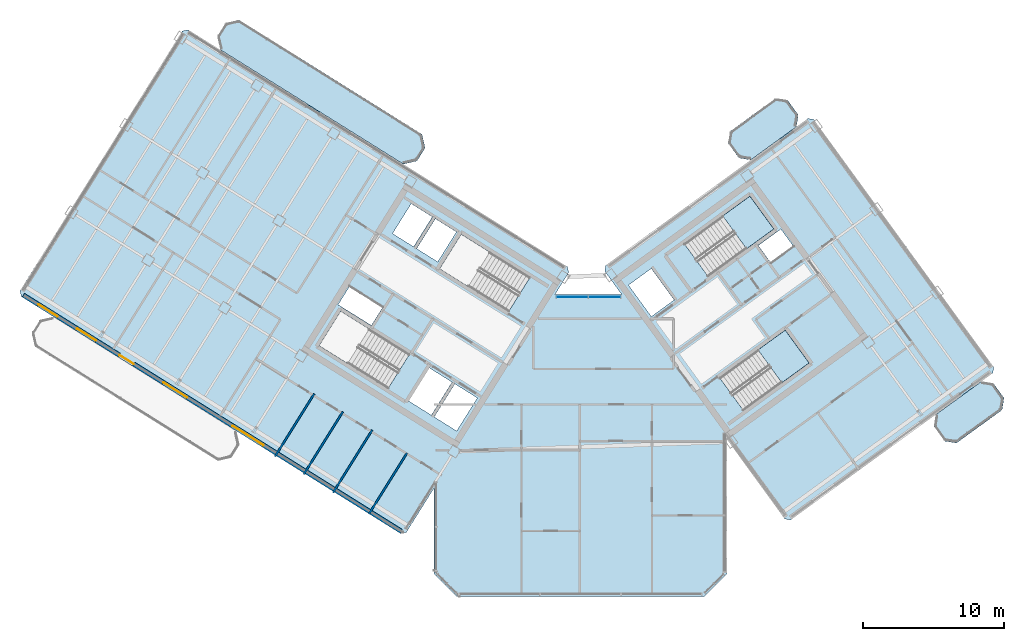
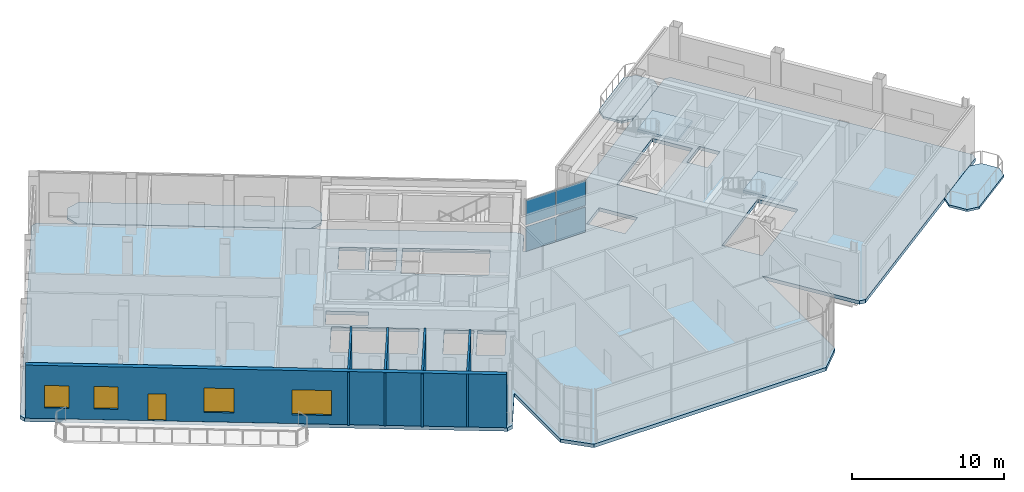
# One storey, part 15 of 27: 6 slabs, 5 walls, 4 plates, 4 windows, 1 door, 5 openings, 3 elements without a shape of their own.
"""IFC4 building model written with IfcOpenShell, lengths in metres."""

from ifc_helpers import new_model, si_unit, direction, frame, frame_2d, origin, origin_2d, place, context, subcontext, project, spatial, polyline, rectangle, outline, extrude, source, transform, mapped, material, layer, layer_set, type_object, element, fill, aggregate, save


model = new_model("IFC4")

# Units and contexts
model_context = context("Model", 3, precision=1e-05, world=origin(), true_north=direction((0.0, 1.0)))
body_context = subcontext(model_context, "Body", "Model", "MODEL_VIEW")
ifc_project = project(units=[si_unit("LENGTHUNIT", "METRE"), si_unit("AREAUNIT", "SQUARE_METRE"), si_unit("VOLUMEUNIT", "CUBIC_METRE"), si_unit("PLANEANGLEUNIT", "RADIAN"), si_unit("MASSUNIT", "GRAM", prefix="KILO")], contexts=[model_context])

# Site, building, storey
site_placement = place(None, origin())
site = spatial("IfcSite", under=ifc_project, at=site_placement, CompositionType="ELEMENT")
building_placement = place(site_placement, origin())
building = spatial("IfcBuilding", under=site, at=building_placement, Name="Tlacorven Tower", CompositionType="ELEMENT")
storey_placement = place(building_placement, frame((0.0, 0.0, 254.699951171875)))
storey = spatial("IfcBuildingStorey", under=building, at=storey_placement, Name="L64", CompositionType="ELEMENT", Elevation=254.699951171875)

# Slabs
ifc_material_1 = material(Name="Precast concrete C45/55", Category="concrete")
ifc_layer_1 = layer(ifc_material_1, 0.179931640625)
ifc_layer_set_1 = layer_set([ifc_layer_1], Name="Precast concrete C45/55")
slab_type_1 = type_object("IfcSlabType", Name="SL-BAL-180", PredefinedType="USERDEFINED", material=ifc_layer_set_1)
slab_1_placement = place(storey_placement, frame((0.0, 0.0, -0.179931640625)))
element("IfcSlab", 1, at=slab_1_placement, inside=storey, type_object=slab_type_1, Name="L64 West Wing Balcony Ribbon IN", ObjectType="BALCONY SLAB", PredefinedType="USERDEFINED", context=body_context, shape_type="SweptSolid", body=[
    extrude(outline(polyline([(30.756591796875, 34.57763671875), (17.781494140625, 42.685546875), (16.81689453125, 42.462890625), (16.236572265625, 41.5341796875), (16.459228515625, 40.569580078125), (29.434326171875, 32.4619140625), (30.39892578125, 32.6845703125), (30.979248046875, 33.613037109375), (30.756591796875, 34.57763671875)])), origin(), (0.0, 0.0, 1.0), 0.179931640625),
])
slab_2_placement = place(storey_placement, frame((0.0, 0.0, -0.179931640625)))
element("IfcSlab", 2, at=slab_2_placement, inside=storey, type_object=slab_type_1, Name="L64 East Wing Balcony Ribbon OUT", ObjectType="BALCONY SLAB", PredefinedType="USERDEFINED", context=body_context, shape_type="SweptSolid", body=[
    extrude(outline(polyline([(68.669921875, 12.678955078125), (71.906005859375, 15.0302734375), (72.03857421875, 15.8681640625), (71.27734375, 16.916015625), (70.439453125, 17.048583984375), (67.203369140625, 14.697509765625), (67.070556640625, 13.859375), (67.831787109375, 12.811767578125), (68.669921875, 12.678955078125)])), origin(), (0.0, 0.0, 1.0), 0.179931640625),
])
slab_3_placement = place(storey_placement, frame((0.0, 0.0, -0.179931640625)))
element("IfcSlab", 3, at=slab_3_placement, inside=storey, type_object=slab_type_1, Name="L64 East Wing Balcony Ribbon IN", ObjectType="BALCONY SLAB", PredefinedType="USERDEFINED", context=body_context, shape_type="SweptSolid", body=[
    extrude(outline(polyline([(54.078125, 32.762939453125), (57.314208984375, 35.114013671875), (57.44677734375, 35.9521484375), (56.685791015625, 36.999755859375), (55.84765625, 37.132568359375), (52.611572265625, 34.78125), (52.478759765625, 33.943359375), (53.239990234375, 32.8955078125), (54.078125, 32.762939453125)])), origin(), (0.0, 0.0, 1.0), 0.179931640625),
])

# Stair, slab
ifc_material_2 = material(Name="Concrete C40/50", Category="concrete")
stair_type = type_object("IfcStairType", Name="ST-CORE-DLG", PredefinedType="HALF_TURN_STAIR", material=ifc_material_2)
stair_1_placement = place(storey_placement, origin())
stair_1 = element("IfcStair", 4, at=stair_1_placement, inside=storey, type_object=stair_type, Name="L64 Protected Exit Stair East 1", PredefinedType="HALF_TURN_STAIR")
ifc_layer_2 = layer(ifc_material_2, 0.199951171875)
ifc_layer_set_2 = layer_set([ifc_layer_2], Name="Concrete C40/50")
slab_type_2 = type_object("IfcSlabType", Name="SL-LND-200", PredefinedType="LANDING", material=ifc_layer_set_2)
slab_4_placement = place(storey_placement, frame((0.0, 0.0, 2.050048828125)))
slab_4 = element("IfcSlab", 5, at=slab_4_placement, type_object=slab_type_2, Name="ST-E1 landing 1", PredefinedType="LANDING", context=body_context, shape_type="SweptSolid", body=[
    extrude(outline(polyline([(53.77734375, 26.456787109375), (55.7109375, 27.861572265625), (54.01806640625, 30.19140625), (52.08447265625, 28.78662109375), (53.77734375, 26.456787109375)])), origin(), (0.0, 0.0, 1.0), 0.199951171875),
])
aggregate(stair_1, [slab_4])

stair_2_placement = place(storey_placement, origin())
stair_2 = element("IfcStair", 6, at=stair_2_placement, inside=storey, type_object=stair_type, Name="L64 Protected Exit Stair East 2", PredefinedType="HALF_TURN_STAIR")
slab_5_placement = place(storey_placement, frame((0.0, 0.0, 2.050048828125)))
slab_5 = element("IfcSlab", 7, at=slab_5_placement, type_object=slab_type_2, Name="ST-E2 landing 1", PredefinedType="LANDING", context=body_context, shape_type="SweptSolid", body=[
    extrude(outline(polyline([(56.28125, 16.95361328125), (58.21484375, 18.3583984375), (56.52197265625, 20.6884765625), (54.58837890625, 19.283447265625), (56.28125, 16.95361328125)])), origin(), (0.0, 0.0, 1.0), 0.199951171875),
])
aggregate(stair_2, [slab_5])

# Slab
ifc_material_3 = material(Name="Concrete C50/60", Category="concrete")
ifc_layer_3 = layer(ifc_material_3, 0.280029296875)
ifc_layer_set_3 = layer_set([ifc_layer_3], Name="Concrete C50/60")
slab_type_3 = type_object("IfcSlabType", Name="SL-WND-280", PredefinedType="FLOOR", material=ifc_layer_set_3)
slab_6_placement = place(storey_placement, frame((0.0, 0.0, -0.280029296875)))
element("IfcSlab", 8, at=slab_6_placement, inside=storey, type_object=slab_type_3, Name="L64 Boomerang Tower Floor Slab", PredefinedType="FLOOR", context=body_context, shape_type="SweptSolid", body=[
    extrude(outline(polyline([(52.39990234375, 3.39990234375), (50.800048828125, 1.800048828125), (33.199951171875, 1.800048828125), (31.60009765625, 3.39990234375), (31.60009765625, 9.470703125), (29.652587890625, 6.35400390625), (29.2392578125, 6.258544921875), (2.339111328125, 23.067626953125), (2.24365234375, 23.481201171875), (13.75341796875, 41.900634765625), (14.1669921875, 41.99609375), (41.06689453125, 25.18701171875), (41.162353515625, 24.773681640625), (40.178955078125, 23.199951171875), (44.932373046875, 23.199951171875), (43.723876953125, 24.86328125), (43.790283203125, 25.2822265625), (58.1259765625, 35.69775390625), (58.545166015625, 35.63134765625), (71.311767578125, 18.0595703125), (71.245361328125, 17.640380859375), (56.90966796875, 7.224853515625), (56.49072265625, 7.291259765625), (52.39990234375, 12.921630859375), (52.39990234375, 3.39990234375)]), holes=[polyline([(29.865478515625, 18.979736328125), (24.9892578125, 22.02685546875), (23.463134765625, 19.58447265625), (28.33935546875, 16.537353515625), (29.865478515625, 18.979736328125)]), polyline([(38.4169921875, 24.4375), (33.540771484375, 27.484375), (32.0146484375, 25.0419921875), (36.890869140625, 21.9951171875), (38.4169921875, 24.4375)]), polyline([(51.05908203125, 24.481689453125), (55.7109375, 27.861572265625), (54.01806640625, 30.19140625), (49.3662109375, 26.811767578125), (51.05908203125, 24.481689453125)]), polyline([(53.56298828125, 14.978759765625), (58.21484375, 18.3583984375), (56.52197265625, 20.6884765625), (51.8701171875, 17.30859375), (53.56298828125, 14.978759765625)]), polyline([(34.682373046875, 15.87548828125), (33.088134765625, 16.871826171875), (31.62548828125, 14.531005859375), (33.2197265625, 13.534912109375), (34.682373046875, 15.87548828125)]), polyline([(32.884521484375, 16.9990234375), (31.2392578125, 18.02685546875), (29.77685546875, 15.686279296875), (31.421875, 14.658203125), (32.884521484375, 16.9990234375)]), polyline([(47.0234375, 21.648681640625), (48.6416015625, 22.82421875), (47.019287109375, 25.05712890625), (45.401123046875, 23.881591796875), (47.0234375, 21.648681640625)]), polyline([(33.197265625, 27.65185546875), (31.704833984375, 28.58447265625), (30.3798828125, 26.46435546875), (31.87255859375, 25.53173828125), (33.197265625, 27.65185546875)]), polyline([(31.484375, 28.722412109375), (29.99169921875, 29.655029296875), (28.6669921875, 27.534912109375), (30.159423828125, 26.602294921875), (31.484375, 28.722412109375)]), polyline([(27.96142578125, 22.2919921875), (25.603759765625, 23.76513671875), (24.80908203125, 22.4931640625), (27.16650390625, 21.02001953125), (27.96142578125, 22.2919921875)]), polyline([(55.490478515625, 25.4765625), (57.092529296875, 26.640380859375), (56.210693359375, 27.85400390625), (54.60888671875, 26.690185546875), (55.490478515625, 25.4765625)])]), origin(), (0.0, 0.0, 1.0), 0.280029296875),
])

# Curtain wall, plates
ifc_material_4 = material(Name="Dark solar low-E double glazing in aluminium frame", Category="aluminium")
curtain_wall_type = type_object("IfcCurtainWallType", Name="CW-COM-AMENITY", PredefinedType="USERDEFINED", material=ifc_material_4)
curtain_wall_placement = place(storey_placement, origin())
curtain_wall = element("IfcCurtainWall", 9, at=curtain_wall_placement, inside=storey, type_object=curtain_wall_type, Name="L64 CW-COM-AMENITY Curtain Wall 301", ObjectType="UNITISED CURTAIN WALL", PredefinedType="USERDEFINED")
ifc_material_5 = material(Name="Dark solar acoustic laminated low-E glazing", Category="glass")
ifc_layer_4 = layer(ifc_material_5, 0.035888671875)
ifc_layer_set_4 = layer_set([ifc_layer_4], Name="Dark solar acoustic laminated low-E glazing")
plate_type = type_object("IfcPlateType", Name="CWP-01", PredefinedType="CURTAIN_PANEL", material=ifc_layer_set_4)
shared_shape_1 = source(origin(), body_context, "Body", "SweptSolid", [
    extrude(rectangle(XDim=2.231201171875, YDim=0.035888671875, at=origin_2d()), origin(), (0.0, 0.0, 1.0), 1.98291015625),
])
plate_1_placement = place(storey_placement, frame((41.420654296875, 23.0400390625, 0.071044921875), z_axis=(0.0, 0.0, 1.0), x_axis=(1.0, 0.0, 0.0)))
plate_1 = element("IfcPlate", 10, at=plate_1_placement, type_object=plate_type, Name="CW-L64-301 Glazing Panel 1", PredefinedType="CURTAIN_PANEL", context=body_context, shape_type="MappedRepresentation", body=[
    mapped(shared_shape_1, transform((0.0, 0.0, 0.0), scale=1.0)),
])
plate_2_placement = place(storey_placement, frame((41.420654296875, 23.0400390625, 2.196044921875), z_axis=(0.0, 0.0, 1.0), x_axis=(1.0, 0.0, 0.0)))
plate_2 = element("IfcPlate", 11, at=plate_2_placement, type_object=plate_type, Name="CW-L64-301 Glazing Panel 2", PredefinedType="CURTAIN_PANEL", context=body_context, shape_type="MappedRepresentation", body=[
    mapped(shared_shape_1, transform((0.0, 0.0, 0.0), scale=1.0)),
])
plate_3_placement = place(storey_placement, frame((43.703857421875, 23.0400390625, 0.071044921875), z_axis=(0.0, 0.0, 1.0), x_axis=(1.0, 0.0, 0.0)))
plate_3 = element("IfcPlate", 12, at=plate_3_placement, type_object=plate_type, Name="CW-L64-301 Glazing Panel 3", PredefinedType="CURTAIN_PANEL", context=body_context, shape_type="MappedRepresentation", body=[
    mapped(shared_shape_1, transform((0.0, 0.0, 0.0), scale=1.0)),
])
plate_4_placement = place(storey_placement, frame((43.703857421875, 23.0400390625, 2.196044921875), z_axis=(0.0, 0.0, 1.0), x_axis=(1.0, 0.0, 0.0)))
plate_4 = element("IfcPlate", 13, at=plate_4_placement, type_object=plate_type, Name="CW-L64-301 Glazing Panel 4", PredefinedType="CURTAIN_PANEL", context=body_context, shape_type="MappedRepresentation", body=[
    mapped(shared_shape_1, transform((0.0, 0.0, 0.0), scale=1.0)),
])
aggregate(curtain_wall, [plate_1, plate_2, plate_3, plate_4])

# Wall, openings, door, windows
ifc_layer_5 = layer(ifc_material_1, 0.320068359375)
ifc_layer_set_5 = layer_set([ifc_layer_5], Name="Precast concrete C45/55")
wall_type_1 = type_object("IfcWallType", Name="WL-EXT-320", PredefinedType="STANDARD", material=ifc_layer_set_5)
wall_1_placement = place(storey_placement, frame((29.267822265625, 6.429443359375, 0.0), z_axis=(0.0, 0.0, 1.0), x_axis=(-0.848049971435, 0.529916263149, 0.0)))
wall_1 = element("IfcWall", 14, at=wall_1_placement, inside=storey, type_object=wall_type_1, Name="L64 Masonry-Frame Recessed Facade Wall 1", PredefinedType="STANDARD", context=body_context, shape_type="SweptSolid", body=[
    extrude(rectangle(XDim=31.587646484375, YDim=0.320068359375, at=frame_2d((15.7939453125, 0.0))), origin(), (0.0, 0.0, 1.0), 4.25),
])
opening_1_placement = place(wall_1_placement, frame((22.3486328125, 0.0, 0.0)))
opening_1 = element("IfcOpeningElement", 15, at=opening_1_placement, cuts=wall_1, Name="Opening D05", PredefinedType="OPENING", context=body_context, shape_type="SweptSolid", body=[
    extrude(rectangle(XDim=1.199951171875, YDim=2.14990234375, at=frame_2d((0.60009765625, 1.074951171875))), frame((0.0, 0.169921875, 0.0), z_axis=(0.0, -1.0, 0.0), x_axis=(1.0, 0.0, 0.0)), (0.0, 0.0, 1.0), 0.340087890625),
])
opening_2_placement = place(wall_1_placement, frame((11.48876953125, 0.0, 0.699951171875)))
opening_2 = element("IfcOpeningElement", 16, at=opening_2_placement, cuts=wall_1, Name="Opening WN10", PredefinedType="OPENING", context=body_context, shape_type="SweptSolid", body=[
    extrude(rectangle(XDim=2.60009765625, YDim=2.0, at=frame_2d((1.300048828125, 1.0))), frame((0.0, 0.169921875, 0.0), z_axis=(0.0, -1.0, 0.0), x_axis=(1.0, 0.0, 0.0)), (0.0, 0.0, 1.0), 0.340087890625),
])
opening_3_placement = place(wall_1_placement, frame((17.881103515625, 0.0, 0.75)))
opening_3 = element("IfcOpeningElement", 17, at=opening_3_placement, cuts=wall_1, Name="Opening WN11", PredefinedType="OPENING", context=body_context, shape_type="SweptSolid", body=[
    extrude(rectangle(XDim=2.0, YDim=1.949951171875, at=frame_2d((1.0, 0.97509765625))), frame((0.0, 0.169921875, 0.0), z_axis=(0.0, -1.0, 0.0), x_axis=(1.0, 0.0, 0.0)), (0.0, 0.0, 1.0), 0.340087890625),
])
opening_4_placement = place(wall_1_placement, frame((25.5009765625, 0.0, 0.85009765625)))
opening_4 = element("IfcOpeningElement", 18, at=opening_4_placement, cuts=wall_1, Name="Opening WN12", PredefinedType="OPENING", context=body_context, shape_type="SweptSolid", body=[
    extrude(rectangle(XDim=1.60009765625, YDim=1.800048828125, at=frame_2d((0.800048828125, 0.89990234375))), frame((0.0, 0.169921875, 0.0), z_axis=(0.0, -1.0, 0.0), x_axis=(1.0, 0.0, 0.0)), (0.0, 0.0, 1.0), 0.340087890625),
])
opening_5_placement = place(wall_1_placement, frame((28.725341796875, 0.0, 0.85009765625)))
opening_5 = element("IfcOpeningElement", 19, at=opening_5_placement, cuts=wall_1, Name="Opening WN12", PredefinedType="OPENING", context=body_context, shape_type="SweptSolid", body=[
    extrude(rectangle(XDim=1.60009765625, YDim=1.800048828125, at=frame_2d((0.800048828125, 0.89990234375))), frame((0.0, 0.169921875, 0.0), z_axis=(0.0, -1.0, 0.0), x_axis=(1.0, 0.0, 0.0)), (0.0, 0.0, 1.0), 0.340087890625),
])
ifc_material_6 = material(Name="Powder-coated aluminium and timber door", Category="wood")
door_type = type_object("IfcDoorType", Name="DR-EXT-BALC-1200", OperationType="NOTDEFINED", PredefinedType="DOOR", material=ifc_material_6)
shared_shape_2 = source(origin(), body_context, "Body", "SweptSolid", [
    extrude(rectangle(XDim=1.199951171875, YDim=2.14990234375, at=frame_2d((0.60009765625, 1.074951171875))), frame((0.0, 0.02490234375, 0.0), z_axis=(0.0, -1.0, 0.0), x_axis=(1.0, 0.0, 0.0)), (0.0, 0.0, 1.0), 0.050048828125),
])
door_placement = place(opening_1_placement, origin())
door = element("IfcDoor", 20, at=door_placement, inside=storey, type_object=door_type, Name="L64 Outdoor Access Door BAL-L64-W-OUT", OperationType="SINGLE_SWING_LEFT", OverallHeight=2.14990234375, OverallWidth=1.199951171875, PredefinedType="DOOR", context=body_context, shape_type="MappedRepresentation", body=[
    mapped(shared_shape_2, transform((0.0, 0.0, 0.0), scale=1.0)),
])
fill(opening_1, door)
ifc_material_7 = material(Name="Dark solar low-E double glazing in anodised aluminium frame", Category="aluminium")
window_type_1 = type_object("IfcWindowType", Name="WN-COM-2600X2200", PartitioningType="SINGLE_PANEL", PredefinedType="WINDOW", material=ifc_material_7)
shared_shape_3 = source(origin(), body_context, "Body", "SweptSolid", [
    extrude(rectangle(XDim=2.60009765625, YDim=2.0, at=frame_2d((1.300048828125, 1.0))), frame((0.0, 0.030029296875, 0.0), z_axis=(0.0, -1.0, 0.0), x_axis=(1.0, 0.0, 0.0)), (0.0, 0.0, 1.0), 0.06005859375),
])
window_1_placement = place(opening_2_placement, origin())
window_1 = element("IfcWindow", 21, at=window_1_placement, inside=storey, type_object=window_type_1, Name="L64 Recessed Masonry-Frame Window L64-01.1", OverallHeight=2.0, OverallWidth=2.60009765625, PartitioningType="SINGLE_PANEL", PredefinedType="WINDOW", context=body_context, shape_type="MappedRepresentation", body=[
    mapped(shared_shape_3, transform((0.0, 0.0, 0.0), scale=1.0)),
])
fill(opening_2, window_1)
window_type_2 = type_object("IfcWindowType", Name="WN-COM-1600X1900", PartitioningType="SINGLE_PANEL", PredefinedType="WINDOW", material=ifc_material_7)
shared_shape_4 = source(origin(), body_context, "Body", "SweptSolid", [
    extrude(rectangle(XDim=1.60009765625, YDim=1.800048828125, at=frame_2d((0.800048828125, 0.89990234375))), frame((0.0, 0.030029296875, 0.0), z_axis=(0.0, -1.0, 0.0), x_axis=(1.0, 0.0, 0.0)), (0.0, 0.0, 1.0), 0.06005859375),
])
window_2_placement = place(opening_4_placement, origin())
window_2 = element("IfcWindow", 22, at=window_2_placement, inside=storey, type_object=window_type_2, Name="L64 Recessed Masonry-Frame Window L64-01.3", OverallHeight=1.800048828125, OverallWidth=1.60009765625, PartitioningType="SINGLE_PANEL", PredefinedType="WINDOW", context=body_context, shape_type="MappedRepresentation", body=[
    mapped(shared_shape_4, transform((0.0, 0.0, 0.0), scale=1.0)),
])
fill(opening_4, window_2)
window_3_placement = place(opening_5_placement, origin())
window_3 = element("IfcWindow", 23, at=window_3_placement, inside=storey, type_object=window_type_2, Name="L64 Recessed Masonry-Frame Window L64-01.4", OverallHeight=1.800048828125, OverallWidth=1.60009765625, PartitioningType="SINGLE_PANEL", PredefinedType="WINDOW", context=body_context, shape_type="MappedRepresentation", body=[
    mapped(shared_shape_4, transform((0.0, 0.0, 0.0), scale=1.0)),
])
fill(opening_5, window_3)
window_type_3 = type_object("IfcWindowType", Name="WN-COM-2000X2100", PartitioningType="SINGLE_PANEL", PredefinedType="WINDOW", material=ifc_material_7)
shared_shape_5 = source(origin(), body_context, "Body", "SweptSolid", [
    extrude(rectangle(XDim=2.0, YDim=1.949951171875, at=frame_2d((1.0, 0.97509765625))), frame((0.0, 0.030029296875, 0.0), z_axis=(0.0, -1.0, 0.0), x_axis=(1.0, 0.0, 0.0)), (0.0, 0.0, 1.0), 0.06005859375),
])
window_4_placement = place(opening_3_placement, origin())
window_4 = element("IfcWindow", 24, at=window_4_placement, inside=storey, type_object=window_type_3, Name="L64 Recessed Masonry-Frame Window L64-01.2", OverallHeight=1.949951171875, OverallWidth=2.0, PartitioningType="SINGLE_PANEL", PredefinedType="WINDOW", context=body_context, shape_type="MappedRepresentation", body=[
    mapped(shared_shape_5, transform((0.0, 0.0, 0.0), scale=1.0)),
])
fill(opening_3, window_4)

# Walls
ifc_material_8 = material(Name="Moisture-resistant gypsum plumbing wall", Category="gypsum")
ifc_layer_6 = layer(ifc_material_8, 0.139892578125)
ifc_layer_set_6 = layer_set([ifc_layer_6], Name="Moisture-resistant gypsum plumbing wall")
wall_type_2 = type_object("IfcWallType", Name="WL-PLM-140", PredefinedType="PLUMBINGWALL", material=ifc_layer_set_6)
wall_2_placement = place(storey_placement, frame((29.697509765625, 11.97412109375, 0.0), z_axis=(0.0, 0.0, 1.0), x_axis=(-0.529899964172, -0.848060155868, 0.0)))
element("IfcWall", 25, at=wall_2_placement, inside=storey, type_object=wall_type_2, Name="L64 partition 50", PredefinedType="PLUMBINGWALL", context=body_context, shape_type="SweptSolid", body=[
    extrude(rectangle(XDim=5.099853515625, YDim=0.139892578125, at=frame_2d((2.5498046875, 0.0))), origin(), (0.0, 0.0, 1.0), 4.239990234375),
])
for number, where, z_axis, x_axis, name in (
    (26, (27.224609375, 13.60205078125, 0.0), (0.0, 0.0, 1.0), (-0.529944493599, -0.848032330577, 0.0), "L64 partition 52"),
    (27, (25.146728515625, 14.900390625, 0.0), (0.0, 0.0, 1.0), (-0.529944493599, -0.848032330577, 0.0), "L64 partition 53"),
    (28, (23.111328125, 16.17236328125, 0.0), (0.0, 0.0, 1.0), (-0.529890046623, -0.848066352646, 0.0), "L64 partition 54"),
):
    element("IfcWall", number, at=place(storey_placement, frame(where, z_axis=z_axis, x_axis=x_axis)), inside=storey, type_object=wall_type_2, Name=name, PredefinedType="PLUMBINGWALL", context=body_context, shape_type="SweptSolid", body=[
        extrude(rectangle(XDim=5.239990234375, YDim=0.139892578125, at=frame_2d((2.6201171875, 0.0))), origin(), (0.0, 0.0, 1.0), 4.239990234375),
    ])

save(model, "model.ifc")
